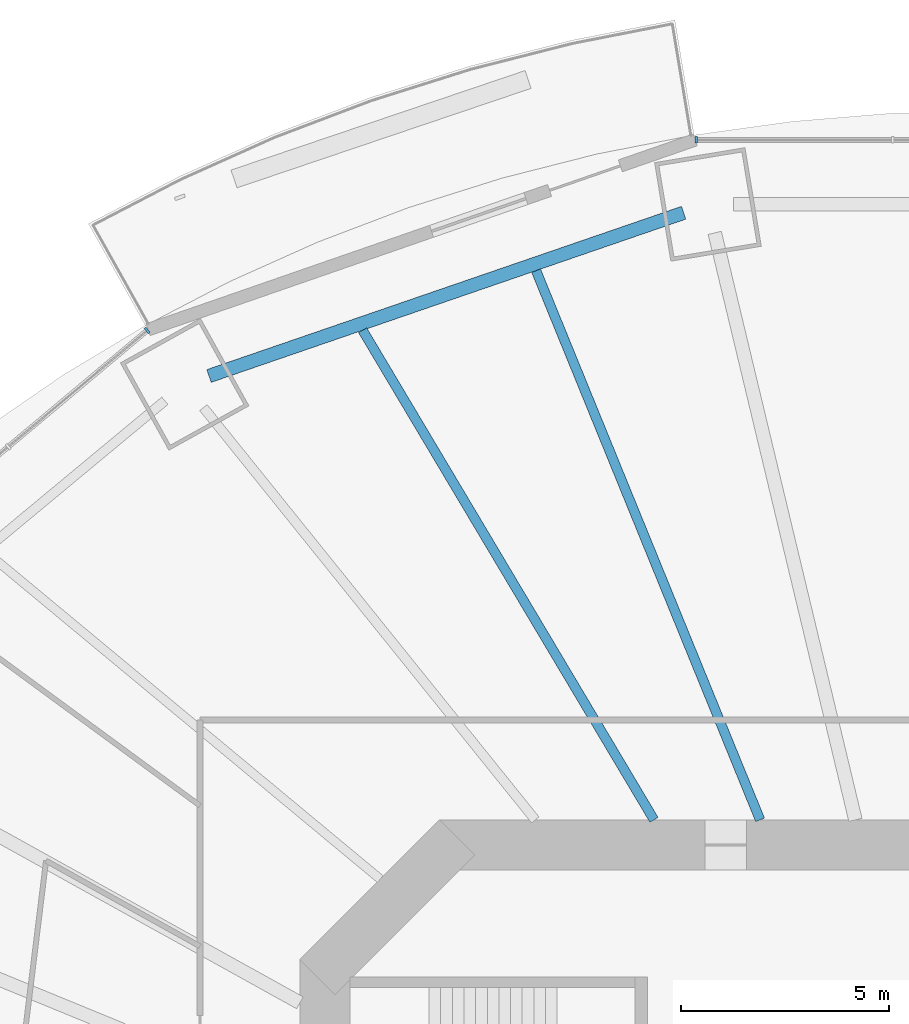
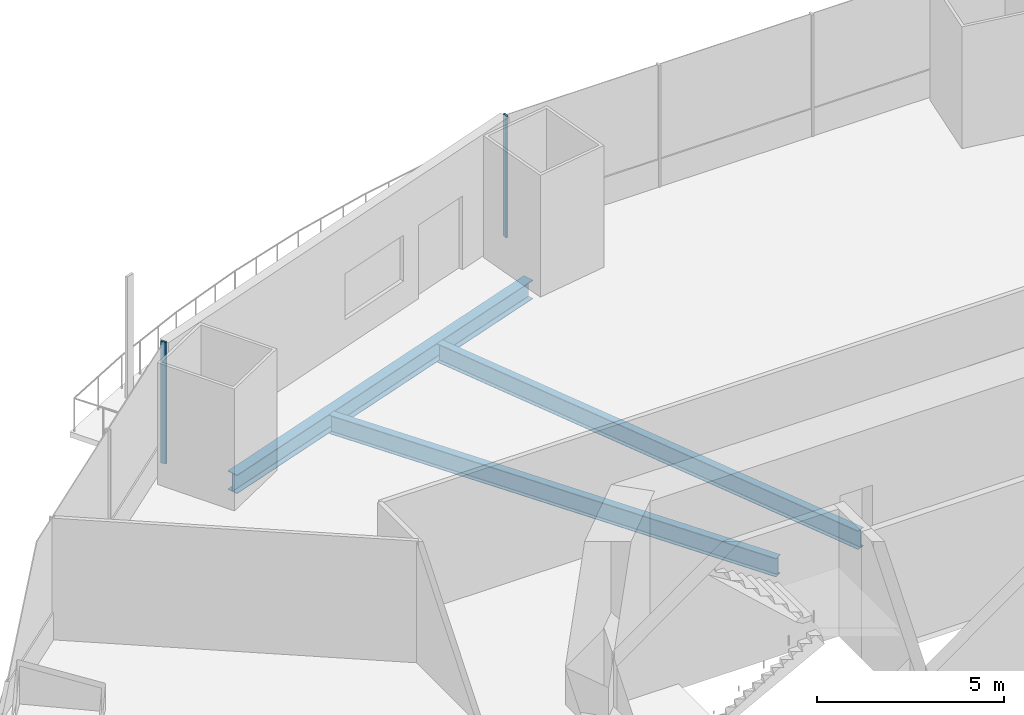
# One storey, part 7 of 23: 3 beams, 2 members, 2 elements without a shape of their own.
"""IFC4 building model written with IfcOpenShell, lengths in metres."""

import ifcopenshell
import ifcopenshell.guid

model = None  # the IFC model being written
_history = None  # IfcOwnerHistory: only IFC2X3 demands one
_inside = {}  # id of a spatial element -> (the spatial element, [elements in it])
_under = {}  # id of a project, library or spatial element -> (it, [spatial elements below it])
_declared = {}  # id of a project -> (the project, [libraries it declares])
_typed = {}  # id of a type object -> (the type object, [elements of that type])
_made_of = {}  # id of a material, layer set ... -> (it, [elements and type objects made of it])


def new_model(schema):
    """Start an empty IFC model of exactly this schema.

    Asked for "IFC4X3", IfcOpenShell would pick the latest addendum, in which some entities
    have other attributes; the version numbers below select the first issue.
    IFC2X3 requires an IfcOwnerHistory on every rooted entity: one is made here for all.
    """
    global model, _history
    if schema == "IFC4X3":
        model = ifcopenshell.file(schema_version=(4, 3, 0, 0))
    else:
        model = ifcopenshell.file(schema=schema)
    _inside.clear()
    _under.clear()
    _declared.clear()
    _typed.clear()
    _made_of.clear()
    _history = None
    if model.schema == "IFC2X3":
        org = make("IfcOrganization", Name="unknown")
        user = make(
            "IfcPersonAndOrganization",
            ThePerson=make("IfcPerson", FamilyName="unknown"),
            TheOrganization=org,
        )
        app = make(
            "IfcApplication",
            ApplicationDeveloper=org,
            Version="unknown",
            ApplicationFullName="unknown",
            ApplicationIdentifier="unknown",
        )
        _history = make(
            "IfcOwnerHistory",
            OwningUser=user,
            OwningApplication=app,
            ChangeAction="ADDED",
            CreationDate=0,
        )
    return model


def make(cls, **values):
    """One entity of the class cls with the attributes given. An attribute that is None is left unset."""
    return model.create_entity(
        cls, **{name: value for name, value in values.items() if value is not None}
    )


def rooted(cls, **values):
    """An entity with a GlobalId (a new one), such as an element, a storey or a relation."""
    return make(cls, GlobalId=ifcopenshell.guid.new(), OwnerHistory=_history, **values)


def si_unit(unit_type, name, prefix=None):
    """IfcSIUnit, for example si_unit("LENGTHUNIT", "METRE", prefix="MILLI")."""
    return make("IfcSIUnit", UnitType=unit_type, Prefix=prefix, Name=name)


def assignment(units):
    """IfcUnitAssignment: the units of a project."""
    return None if units is None else make("IfcUnitAssignment", Units=units)


def point(xyz):
    """IfcCartesianPoint."""
    return None if xyz is None else make("IfcCartesianPoint", Coordinates=xyz)


def direction(xyz):
    """IfcDirection."""
    return None if xyz is None else make("IfcDirection", DirectionRatios=xyz)


def frame(location, z_axis=None, x_axis=None):
    """IfcAxis2Placement3D, a coordinate frame: its origin and axes. An axis left out is left unset."""
    return make(
        "IfcAxis2Placement3D",
        Location=point(location),
        Axis=direction(z_axis),
        RefDirection=direction(x_axis),
    )


def frame_2d(location, x_axis=None):
    """IfcAxis2Placement2D, a coordinate frame in the plane: its origin and x axis."""
    return make(
        "IfcAxis2Placement2D", Location=point(location), RefDirection=direction(x_axis)
    )


def origin():
    """The frame at (0, 0, 0) with its axes left unset."""
    return frame((0.0, 0.0, 0.0))


def origin_2d():
    """The frame at (0, 0) in the plane with its x axis left unset."""
    return frame_2d((0.0, 0.0))


def place(relative_to, where):
    """IfcLocalPlacement: puts the frame where relative to a parent placement (None: the world)."""
    return make(
        "IfcLocalPlacement", PlacementRelTo=relative_to, RelativePlacement=where
    )


def context(
    kind, dimensions, precision=None, world=None, true_north=None, identifier=None
):
    """IfcGeometricRepresentationContext, for example the 3D "Model" context."""
    return make(
        "IfcGeometricRepresentationContext",
        ContextIdentifier=identifier,
        ContextType=kind,
        CoordinateSpaceDimension=dimensions,
        Precision=precision,
        WorldCoordinateSystem=world,
        TrueNorth=true_north,
    )


def subcontext(parent, identifier, kind, view, scale=None):
    """IfcGeometricRepresentationSubContext, for example "Body" below "Model"."""
    return make(
        "IfcGeometricRepresentationSubContext",
        ContextIdentifier=identifier,
        ContextType=kind,
        ParentContext=parent,
        TargetScale=scale,
        TargetView=view,
    )


def project(units=None, contexts=None):
    """IfcProject with its units and contexts."""
    return rooted(
        "IfcProject",
        Name="project",
        RepresentationContexts=contexts,
        UnitsInContext=assignment(units),
    )


def spatial(cls, under=None, at=None, **own):
    """A site, building, storey or space (cls), placed at a placement, below another one or the project."""
    s = rooted(cls, ObjectPlacement=at, **own)
    if under is not None:
        _under.setdefault(under.id(), (under, []))[1].append(s)
    return s


def profile(cls, at=None, kind="AREA", **sizes):
    """A parametric profile (cls). Its sizes go by their IFC names, for example OverallWidth=200.0."""
    return make(cls, ProfileType=kind, Position=at, **sizes)


def rectangle(**sizes):
    """IfcRectangleProfileDef."""
    return profile("IfcRectangleProfileDef", **sizes)


def i_section(**sizes):
    """IfcIShapeProfileDef."""
    return profile("IfcIShapeProfileDef", **sizes)


def extrude(swept, where, along, depth):
    """IfcExtrudedAreaSolid: the profile swept, set in the frame where, extruded along a direction by depth."""
    return make(
        "IfcExtrudedAreaSolid",
        SweptArea=swept,
        Position=where,
        ExtrudedDirection=direction(along),
        Depth=depth,
    )


def shape(context_of_items, identifier, shape_type, items):
    """IfcShapeRepresentation: the items that make up one representation, for example the "Body"."""
    return make(
        "IfcShapeRepresentation",
        ContextOfItems=context_of_items,
        RepresentationIdentifier=identifier,
        RepresentationType=shape_type,
        Items=items,
    )


def material(Name=None, Category=None):
    """IfcMaterial."""
    return make("IfcMaterial", Name=Name, Category=Category)


def material_profile(
    of_material, cross_section, Name=None, Category=None, Priority=None
):
    """IfcMaterialProfile: a cross section and its material."""
    return make(
        "IfcMaterialProfile",
        Name=Name,
        Material=of_material,
        Profile=cross_section,
        Priority=Priority,
        Category=Category,
    )


def profile_set(profiles, Name=None, composite=None):
    """IfcMaterialProfileSet."""
    return make(
        "IfcMaterialProfileSet",
        Name=Name,
        MaterialProfiles=profiles,
        CompositeProfile=composite,
    )


def made_of(thing, what):
    """Note that an element or type object is made of a material, layer set ...; save() writes the relation."""
    if what is not None:
        _made_of.setdefault(what.id(), (what, []))[1].append(thing)
    return thing


def type_object(cls, material=None, **own):
    """A type object (cls), such as IfcWallType, which elements share."""
    return made_of(rooted(cls, **own), material)


def element(
    cls,
    number,
    at=None,
    inside=None,
    cuts=None,
    type_object=None,
    material=None,
    context=None,
    identifier="Body",
    shape_type=None,
    held_by="IfcProductDefinitionShape",
    body=None,
    shapes=None,
    **own,
):
    """One element of the class cls, such as IfcWall. Its Tag is "e" and its number.

    at: its placement. inside: the storey or other place that contains it. cuts: it is an
    opening in that element (IfcRelVoidsElement). A single representation is given by context,
    identifier, shape_type and body (its items); several are given by shapes. held_by: the class
    of the entity that holds the representations. save() writes the other relations.
    """
    e = rooted(cls, Tag="e%d" % number, ObjectPlacement=at, **own)
    if body is not None:
        shapes = [shape(context, identifier, shape_type, body)]
    if shapes is not None:
        e.Representation = make(held_by, Representations=shapes)
    if inside is not None:
        _inside.setdefault(inside.id(), (inside, []))[1].append(e)
    if cuts is not None:
        rooted(
            "IfcRelVoidsElement", RelatingBuildingElement=cuts, RelatedOpeningElement=e
        )
    if type_object is not None:
        _typed.setdefault(type_object.id(), (type_object, []))[1].append(e)
    return made_of(e, material)


def aggregate(whole, parts):
    """IfcRelAggregates: a whole, such as a stair, and the parts it consists of."""
    return rooted("IfcRelAggregates", RelatingObject=whole, RelatedObjects=parts)


def save(model, path):
    """Write the relations noted so far, then the file.

    IfcRelAggregates (storeys below a building ...), IfcRelContainedInSpatialStructure (elements
    in a storey), IfcRelDefinesByType, IfcRelAssociatesMaterial and IfcRelDeclares: one each for
    every whole, place, type object, material and project.
    """
    for whole, parts in _under.values():
        aggregate(whole, parts)
    for where, things in _inside.values():
        rooted(
            "IfcRelContainedInSpatialStructure",
            RelatedElements=things,
            RelatingStructure=where,
        )
    for kind, things in _typed.values():
        rooted("IfcRelDefinesByType", RelatedObjects=things, RelatingType=kind)
    for what, things in _made_of.values():
        rooted("IfcRelAssociatesMaterial", RelatedObjects=things, RelatingMaterial=what)
    for by, libraries in _declared.values():
        rooted("IfcRelDeclares", RelatingContext=by, RelatedDefinitions=libraries)
    model.write(path)


model = new_model("IFC4")

# Units and contexts
model_context = context("Model", 3, precision=1e-05, world=origin(), true_north=direction((0.0, 1.0)))
body_context = subcontext(model_context, "Body", "Model", "MODEL_VIEW")
ifc_project = project(units=[si_unit("LENGTHUNIT", "METRE"), si_unit("AREAUNIT", "SQUARE_METRE"), si_unit("VOLUMEUNIT", "CUBIC_METRE"), si_unit("PLANEANGLEUNIT", "RADIAN"), si_unit("MASSUNIT", "GRAM", prefix="KILO")], contexts=[model_context])

# Site, building, storey
site_placement = place(None, origin())
site = spatial("IfcSite", under=ifc_project, at=site_placement, CompositionType="ELEMENT")
building_placement = place(site_placement, origin())
building = spatial("IfcBuilding", under=site, at=building_placement, Name="Marenthal Gate Tower", CompositionType="ELEMENT")
storey_placement = place(building_placement, frame((0.0, 0.0, 53.75)))
storey = spatial("IfcBuildingStorey", under=building, at=storey_placement, Name="L09", CompositionType="ELEMENT", Elevation=53.75)

# Curtain wall, member
ifc_material_1 = material(Name="Aluminium and glass", Category="aluminium")
curtain_wall_type = type_object("IfcCurtainWallType", Name="Curtain wall typical low", PredefinedType="NOTDEFINED", material=ifc_material_1)
curtain_wall_1_placement = place(storey_placement, origin())
curtain_wall_1 = element("IfcCurtainWall", 1, at=curtain_wall_1_placement, inside=storey, type_object=curtain_wall_type, Name="Curtain wall L09 bay 4", PredefinedType="NOTDEFINED")
ifc_material_2 = material(Name="Aluminium", Category="aluminium")
ifc_material_profile_1 = material_profile(ifc_material_2, rectangle(XDim=0.159912109375, YDim=0.06005859375, at=origin_2d()), Name="60x160 aluminium mullion")
ifc_profile_set_1 = profile_set([ifc_material_profile_1], Name="Aluminium")
member_type = type_object("IfcMemberType", Name="Mullion 60x160 typical low", PredefinedType="MULLION", material=ifc_profile_set_1)
member_1_placement = place(storey_placement, frame((-7.07861328125, 29.9287109375, 0.0), z_axis=(0.0, 0.0, 1.0), x_axis=(0.0, -1.0, 0.0)))
member_1 = element("IfcMember", 2, at=member_1_placement, type_object=member_type, Name="Mullion L09 bay 4.4", PredefinedType="MULLION", context=body_context, shape_type="SweptSolid", body=[
    extrude(rectangle(XDim=0.159912109375, YDim=0.06005859375, at=origin_2d()), origin(), (0.0, 0.0, 1.0), 3.969970703125),
])
aggregate(curtain_wall_1, [member_1])

curtain_wall_2_placement = place(storey_placement, origin())
curtain_wall_2 = element("IfcCurtainWall", 3, at=curtain_wall_2_placement, inside=storey, type_object=curtain_wall_type, Name="Curtain wall L09 bay 6", PredefinedType="NOTDEFINED")
member_2_placement = place(storey_placement, frame((-20.266845703125, 25.35302734375, 0.0), z_axis=(0.0, 0.0, 1.0), x_axis=(0.642047277641, -0.766665046336, 0.0)))
member_2 = element("IfcMember", 4, at=member_2_placement, type_object=member_type, Name="Mullion L09 bay 6.1", PredefinedType="MULLION", context=body_context, shape_type="SweptSolid", body=[
    extrude(rectangle(XDim=0.159912109375, YDim=0.06005859375, at=origin_2d()), origin(), (0.0, 0.0, 1.0), 3.969970703125),
])
aggregate(curtain_wall_2, [member_2])

# Beams
ifc_material_3 = material(Name="Steel S355", Category="steel")
ifc_material_profile_2 = material_profile(ifc_material_3, i_section(OverallWidth=0.22900390625, OverallDepth=0.612060546875, WebThickness=0.011962890625, FlangeThickness=0.01953125, FilletRadius=0.0126953125, at=origin_2d()), Name="W610X125")
ifc_profile_set_2 = profile_set([ifc_material_profile_2], Name="Steel S355")
beam_type_1 = type_object("IfcBeamType", Name="W610X125 beam", PredefinedType="BEAM", material=ifc_profile_set_2)
beam_1_placement = place(storey_placement, frame((-10.927490234375, 26.7880859375, -0.486083984375), z_axis=(0.377703578377, -0.925926566679, 0.0), x_axis=(0.925926566679, 0.377703578377, 0.0)))
element("IfcBeam", 5, at=beam_1_placement, inside=storey, type_object=beam_type_1, Name="BM-L09-23", PredefinedType="BEAM", context=body_context, shape_type="SweptSolid", body=[
    extrude(i_section(OverallWidth=0.22900390625, OverallDepth=0.612060546875, WebThickness=0.011962890625, FlangeThickness=0.01953125, FilletRadius=0.0126953125, at=origin_2d()), origin(), (0.0, 0.0, 1.0), 14.242919921875),
])
beam_2_placement = place(storey_placement, frame((-15.0927734375, 25.356201171875, -0.486083984375), z_axis=(0.511477271469, -0.859296805982, 0.0), x_axis=(0.859296805982, 0.511477271469, 0.0)))
element("IfcBeam", 6, at=beam_2_placement, inside=storey, type_object=beam_type_1, Name="BM-L09-24", PredefinedType="BEAM", context=body_context, shape_type="SweptSolid", body=[
    extrude(i_section(OverallWidth=0.22900390625, OverallDepth=0.612060546875, WebThickness=0.011962890625, FlangeThickness=0.01953125, FilletRadius=0.0126953125, at=origin_2d()), origin(), (0.0, 0.0, 1.0), 13.68115234375),
])
ifc_material_4 = material(Name="Steel S355", Category="steel")
ifc_material_profile_3 = material_profile(ifc_material_4, i_section(OverallWidth=0.324951171875, OverallDepth=0.612060546875, WebThickness=0.0126953125, FlangeThickness=0.01904296875, FilletRadius=0.0126953125, at=origin_2d()), Name="W610X155")
ifc_profile_set_3 = profile_set([ifc_material_profile_3], Name="Steel S355")
beam_type_2 = type_object("IfcBeamType", Name="W610X155 beam", PredefinedType="BEAM", material=ifc_profile_set_3)
beam_3_placement = place(storey_placement, frame((-7.3828125, 28.178955078125, -0.486083984375), z_axis=(-0.945659940371, -0.325157311431, 0.0), x_axis=(0.325157311431, -0.945659940371, 0.0)))
element("IfcBeam", 7, at=beam_3_placement, inside=storey, type_object=beam_type_2, Name="BM-L09-45", PredefinedType="BEAM", context=body_context, shape_type="SweptSolid", body=[
    extrude(i_section(OverallWidth=0.324951171875, OverallDepth=0.612060546875, WebThickness=0.0126953125, FlangeThickness=0.01904296875, FilletRadius=0.0126953125, at=origin_2d()), origin(), (0.0, 0.0, 1.0), 12.0546875),
])

save(model, "model.ifc")
